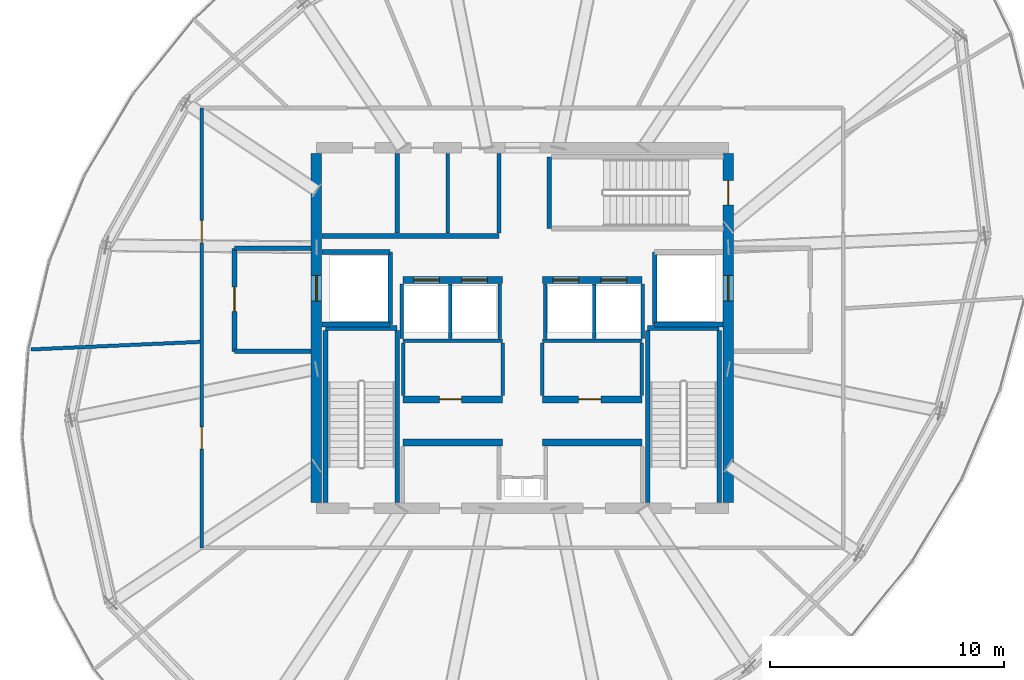
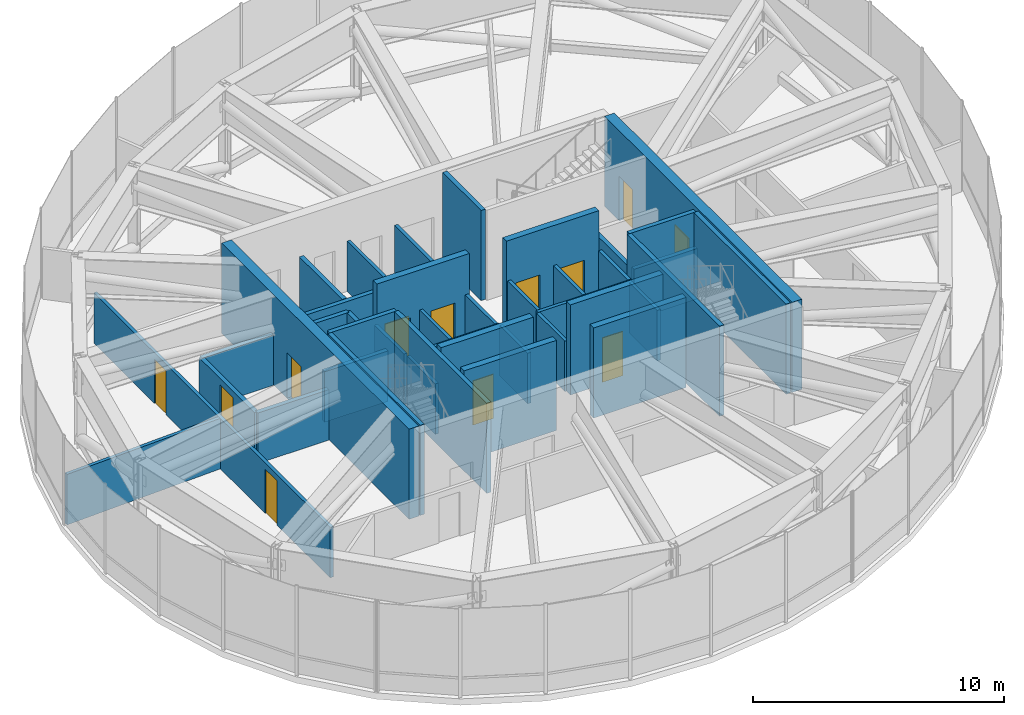
# One storey, part 24 of 26: 41 walls, 12 doors, 12 openings.
"""IFC4 building model written with IfcOpenShell, lengths in metres."""

from ifc_helpers import new_model, si_unit, direction, frame, frame_2d, origin, place, context, subcontext, project, spatial, rectangle, extrude, source, transform, mapped, material, layer, layer_set, type_object, element, fill, save


model = new_model("IFC4")

# Units and contexts
model_context = context("Model", 3, precision=1e-05, world=origin(), true_north=direction((0.0, 1.0)))
body_context = subcontext(model_context, "Body", "Model", "MODEL_VIEW")
ifc_project = project(units=[si_unit("LENGTHUNIT", "METRE"), si_unit("AREAUNIT", "SQUARE_METRE"), si_unit("VOLUMEUNIT", "CUBIC_METRE"), si_unit("PLANEANGLEUNIT", "RADIAN"), si_unit("MASSUNIT", "GRAM", prefix="KILO"), si_unit("THERMODYNAMICTEMPERATUREUNIT", "KELVIN")], contexts=[model_context])

# Site, building, storey
site_placement = place(None, origin())
site = spatial("IfcSite", under=ifc_project, at=site_placement, CompositionType="ELEMENT")
building_placement = place(site_placement, origin())
building = spatial("IfcBuilding", under=site, at=building_placement, Name="Kethvar Cultural Tower", CompositionType="ELEMENT")
storey_placement = place(building_placement, frame((0.0, 0.0, 223.60009765625)))
storey = spatial("IfcBuildingStorey", under=building, at=storey_placement, Name="L58", CompositionType="ELEMENT", Elevation=223.60009765625)

# Wall, opening, door
ifc_material_1 = material(Name="Concrete C50/60", Category="concrete")
ifc_layer_1 = layer(ifc_material_1, 0.449951171875, Name="Concrete C50/60", Category="concrete")
ifc_layer_set_1 = layer_set([ifc_layer_1], Name="Concrete C50/60 (450 mm)")
wall_type_1 = type_object("IfcWallType", Name="WL-CORE-450", PredefinedType="SHEAR", material=ifc_layer_set_1)
wall_1_placement = place(storey_placement, frame((38.0, 35.260009765625, 0.0), z_axis=(0.0, 0.0, 1.0), x_axis=(0.0, -1.0, 0.0)))
wall_1 = element("IfcWall", 1, at=wall_1_placement, inside=storey, type_object=wall_type_1, Name="L58 Core Shear Wall W", PredefinedType="SHEAR", context=body_context, shape_type="SweptSolid", body=[
    extrude(rectangle(XDim=14.919921875, YDim=0.449951171875, at=frame_2d((7.4599609375, 0.0))), origin(), (0.0, 0.0, 1.0), 4.3798828125),
])
opening_1_placement = place(wall_1_placement, frame((5.2099609375, 0.0, 0.0)))
opening_1 = element("IfcOpeningElement", 2, at=opening_1_placement, cuts=wall_1, Name="Opening LD-1", PredefinedType="OPENING", context=body_context, shape_type="SweptSolid", body=[
    extrude(rectangle(XDim=1.10009765625, YDim=2.199951171875, at=frame_2d((0.550048828125, 1.10009765625))), frame((0.0, 0.23486328125, 0.0), z_axis=(0.0, -1.0, 0.0), x_axis=(1.0, 0.0, 0.0)), (0.0, 0.0, 1.0), 0.469970703125),
])
ifc_material_2 = material(Name="Steel S355J2", Category="steel")
door_type_1 = type_object("IfcDoorType", Name="DR-LIFT-SLIDE-1100", OperationType="NOTDEFINED", PredefinedType="DOOR", material=ifc_material_2)
shared_shape_1 = source(origin(), body_context, "Body", "SweptSolid", [
    extrude(rectangle(XDim=1.10009765625, YDim=2.199951171875, at=frame_2d((0.550048828125, 1.10009765625))), frame((0.0, 0.02490234375, 0.0), z_axis=(0.0, -1.0, 0.0), x_axis=(1.0, 0.0, 0.0)), (0.0, 0.0, 1.0), 0.050048828125),
])
door_1_placement = place(opening_1_placement, origin())
door_1 = element("IfcDoor", 3, at=door_1_placement, inside=storey, type_object=door_type_1, Name="L58 Firefighting Lift Landing Door FFL-01", OperationType="SLIDING_TO_LEFT", OverallHeight=2.199951171875, OverallWidth=1.10009765625, PredefinedType="DOOR", context=body_context, shape_type="MappedRepresentation", body=[
    mapped(shared_shape_1, transform((0.0, 0.0, 0.0), scale=1.0)),
])
fill(opening_1, door_1)

# Wall, openings, doors
wall_2_placement = place(storey_placement, frame((55.60009765625, 20.340087890625, 0.0), z_axis=(0.0, 0.0, 1.0), x_axis=(0.0, 1.0, 0.0)))
wall_2 = element("IfcWall", 4, at=wall_2_placement, inside=storey, type_object=wall_type_1, Name="L58 Core Shear Wall E", PredefinedType="SHEAR", context=body_context, shape_type="SweptSolid", body=[
    extrude(rectangle(XDim=14.919921875, YDim=0.449951171875, at=frame_2d((7.4599609375, 0.0))), origin(), (0.0, 0.0, 1.0), 4.3798828125),
])
opening_2_placement = place(wall_2_placement, frame((12.7099609375, 0.0, 0.0)))
opening_2 = element("IfcOpeningElement", 5, at=opening_2_placement, cuts=wall_2, Name="Opening D-L58-S3", PredefinedType="OPENING", context=body_context, shape_type="SweptSolid", body=[
    extrude(rectangle(XDim=1.050048828125, YDim=2.14990234375, at=frame_2d((0.52490234375, 1.074951171875))), frame((0.0, 0.23486328125, 0.0), z_axis=(0.0, -1.0, 0.0), x_axis=(1.0, 0.0, 0.0)), (0.0, 0.0, 1.0), 0.469970703125),
])
opening_3_placement = place(wall_2_placement, frame((8.610107421875, 0.0, 0.0)))
opening_3 = element("IfcOpeningElement", 6, at=opening_3_placement, cuts=wall_2, Name="Opening LD-2", PredefinedType="OPENING", context=body_context, shape_type="SweptSolid", body=[
    extrude(rectangle(XDim=1.10009765625, YDim=2.199951171875, at=frame_2d((0.550048828125, 1.10009765625))), frame((0.0, 0.23486328125, 0.0), z_axis=(0.0, -1.0, 0.0), x_axis=(1.0, 0.0, 0.0)), (0.0, 0.0, 1.0), 0.469970703125),
])
door_type_2 = type_object("IfcDoorType", Name="DR-FD60-1050", OperationType="NOTDEFINED", PredefinedType="DOOR", material=ifc_material_2)
shared_shape_2 = source(origin(), body_context, "Body", "SweptSolid", [
    extrude(rectangle(XDim=1.050048828125, YDim=2.14990234375, at=frame_2d((0.52490234375, 1.074951171875))), frame((0.0, 0.02490234375, 0.0), z_axis=(0.0, -1.0, 0.0), x_axis=(1.0, 0.0, 0.0)), (0.0, 0.0, 1.0), 0.050048828125),
])
door_2_placement = place(opening_2_placement, origin())
door_2 = element("IfcDoor", 7, at=door_2_placement, inside=storey, type_object=door_type_2, Name="L58 Exit Stair 3 Door", OperationType="SINGLE_SWING_LEFT", OverallHeight=2.14990234375, OverallWidth=1.050048828125, PredefinedType="DOOR", context=body_context, shape_type="MappedRepresentation", body=[
    mapped(shared_shape_2, transform((0.0, 0.0, 0.0), scale=1.0)),
])
fill(opening_2, door_2)
door_3_placement = place(opening_3_placement, origin())
door_3 = element("IfcDoor", 8, at=door_3_placement, inside=storey, type_object=door_type_1, Name="L58 Firefighting Lift Landing Door FFL-02", OperationType="SLIDING_TO_RIGHT", OverallHeight=2.199951171875, OverallWidth=1.10009765625, PredefinedType="DOOR", context=body_context, shape_type="MappedRepresentation", body=[
    mapped(shared_shape_1, transform((0.0, 0.0, 0.0), scale=1.0)),
])
fill(opening_3, door_3)

# Walls
ifc_material_3 = material(Name="Gypsum Fireboard Partition")
ifc_layer_2 = layer(ifc_material_3, 0.14990234375, Name="Gypsum Fireboard Partition")
ifc_layer_set_2 = layer_set([ifc_layer_2], Name="Gypsum Fireboard Partition (150 mm)")
wall_type_2 = type_object("IfcWallType", Name="WL-FIRE-150", PredefinedType="PARTITIONING", material=ifc_layer_set_2)
for number, where, z_axis, x_axis, name in (
    (9, (41.699951171875, 27.25, 0.0), (0.0, 0.0, 1.0), (1.0, 0.0, 0.0), "L58 Reclaimed Mid Wall W"),
    (10, (47.64990234375, 27.25, 0.0), (0.0, 0.0, 1.0), (1.0, 0.0, 0.0), "L58 Reclaimed Mid Wall E"),
):
    element("IfcWall", number, at=place(storey_placement, frame(where, z_axis=z_axis, x_axis=x_axis)), inside=storey, type_object=wall_type_2, Name=name, PredefinedType="PARTITIONING", context=body_context, shape_type="SweptSolid", body=[
        extrude(rectangle(XDim=4.25, YDim=0.14990234375, at=frame_2d((2.125, 0.0))), origin(), (0.0, 0.0, 1.0), 2.454833984375),
    ])
for number, where, z_axis, x_axis, name in (
    (11, (41.699951171875, 24.919921875, 0.0), (0.0, 0.0, 1.0), (0.0, 1.0, 0.0), "L58 Reclaimed Mid Outer W"),
    (12, (45.949951171875, 24.919921875, 0.0), (0.0, 0.0, 1.0), (0.0, 1.0, 0.0), "L58 Reclaimed Mid Spine W"),
    (13, (47.64990234375, 24.919921875, 0.0), (0.0, 0.0, 1.0), (0.0, 1.0, 0.0), "L58 Reclaimed Mid Spine E"),
    (14, (51.89990234375, 24.919921875, 0.0), (0.0, 0.0, 1.0), (0.0, 1.0, 0.0), "L58 Reclaimed Mid Outer E"),
):
    element("IfcWall", number, at=place(storey_placement, frame(where, z_axis=z_axis, x_axis=x_axis)), inside=storey, type_object=wall_type_2, Name=name, PredefinedType="PARTITIONING", context=body_context, shape_type="SweptSolid", body=[
        extrude(rectangle(XDim=2.239990234375, YDim=0.14990234375, at=frame_2d((1.1201171875, 0.0))), origin(), (0.0, 0.0, 1.0), 2.454833984375),
    ])
for number, where, z_axis, x_axis, name in (
    (15, (41.64990234375, 27.340087890625, 0.0), (0.0, 0.0, 1.0), (0.0, 1.0, 0.0), "L58 High-Rise Lift Shaft Outer Wall W"),
    (16, (43.72509765625, 27.340087890625, 0.0), (0.0, 0.0, 1.0), (0.0, 1.0, 0.0), "L58 High-Rise Lift Shaft Divider W"),
    (17, (45.824951171875, 27.340087890625, 0.0), (0.0, 0.0, 1.0), (0.0, 1.0, 0.0), "L58 High-Rise Lift Shaft Concourse Wall W"),
    (18, (47.77490234375, 27.340087890625, 0.0), (0.0, 0.0, 1.0), (0.0, 1.0, 0.0), "L58 High-Rise Lift Shaft Concourse Wall E"),
    (19, (49.875, 27.340087890625, 0.0), (0.0, 0.0, 1.0), (0.0, 1.0, 0.0), "L58 High-Rise Lift Shaft Divider E"),
    (20, (51.949951171875, 27.340087890625, 0.0), (0.0, 0.0, 1.0), (0.0, 1.0, 0.0), "L58 High-Rise Lift Shaft Outer Wall E"),
):
    element("IfcWall", number, at=place(storey_placement, frame(where, z_axis=z_axis, x_axis=x_axis)), inside=storey, type_object=wall_type_2, Name=name, PredefinedType="PARTITIONING", context=body_context, shape_type="SweptSolid", body=[
        extrude(rectangle(XDim=2.33984375, YDim=0.14990234375, at=frame_2d((1.169921875, 0.0))), origin(), (0.0, 0.0, 1.0), 2.454833984375),
    ])
wall_3_placement = place(storey_placement, frame((45.800048828125, 31.85009765625, 0.0), z_axis=(0.0, 0.0, 1.0), x_axis=(0.0, 1.0, 0.0)))
element("IfcWall", 21, at=wall_3_placement, inside=storey, type_object=wall_type_2, Name="L58 Sanitary Spine Wall", PredefinedType="PARTITIONING", context=body_context, shape_type="SweptSolid", body=[
    extrude(rectangle(XDim=3.414794921875, YDim=0.14990234375, at=frame_2d((1.70751953125, 0.0))), origin(), (0.0, 0.0, 1.0), 2.454833984375),
])

# Wall, openings, doors
wall_4_placement = place(storey_placement, frame((33.10009765625, 37.199951171875, 0.0), z_axis=(0.0, 0.0, 1.0), x_axis=(0.0, -1.0, 0.0)))
wall_4 = element("IfcWall", 22, at=wall_4_placement, inside=storey, type_object=wall_type_2, Name="L58 Corridor Rated Wall W", PredefinedType="PARTITIONING", context=body_context, shape_type="SweptSolid", body=[
    extrude(rectangle(XDim=18.800048828125, YDim=0.14990234375, at=frame_2d((9.39990234375, 0.0))), origin(), (0.0, 0.0, 1.0), 2.454833984375),
])
opening_4_placement = place(wall_4_placement, frame((13.63037109375, 0.0, 0.0)))
opening_4 = element("IfcOpeningElement", 23, at=opening_4_placement, cuts=wall_4, Name="Opening D-L58-01", PredefinedType="OPENING", context=body_context, shape_type="SweptSolid", body=[
    extrude(rectangle(XDim=0.949951171875, YDim=2.14990234375, at=frame_2d((0.47509765625, 1.074951171875))), frame((0.0, 0.0849609375, 0.0), z_axis=(0.0, -1.0, 0.0), x_axis=(1.0, 0.0, 0.0)), (0.0, 0.0, 1.0), 0.169921875),
])
opening_5_placement = place(wall_4_placement, frame((4.810302734375, 0.0, 0.0)))
opening_5 = element("IfcOpeningElement", 24, at=opening_5_placement, cuts=wall_4, Name="Opening D-L58-10", PredefinedType="OPENING", context=body_context, shape_type="SweptSolid", body=[
    extrude(rectangle(XDim=0.949951171875, YDim=2.14990234375, at=frame_2d((0.47509765625, 1.074951171875))), frame((0.0, 0.0849609375, 0.0), z_axis=(0.0, -1.0, 0.0), x_axis=(1.0, 0.0, 0.0)), (0.0, 0.0, 1.0), 0.169921875),
])
ifc_material_4 = material(Name="Architectural Oak Timber", Category="wood")
door_type_3 = type_object("IfcDoorType", Name="DR-FD30-950", OperationType="NOTDEFINED", PredefinedType="DOOR", material=ifc_material_4)
shared_shape_3 = source(origin(), body_context, "Body", "SweptSolid", [
    extrude(rectangle(XDim=0.949951171875, YDim=2.14990234375, at=frame_2d((0.47509765625, 1.074951171875))), frame((0.0, 0.02490234375, 0.0), z_axis=(0.0, -1.0, 0.0), x_axis=(1.0, 0.0, 0.0)), (0.0, 0.0, 1.0), 0.050048828125),
])
door_4_placement = place(opening_4_placement, origin())
door_4 = element("IfcDoor", 25, at=door_4_placement, inside=storey, type_object=door_type_3, Name="L58 Pressurised Refuge Area West 01 Door", OperationType="SINGLE_SWING_LEFT", OverallHeight=2.14990234375, OverallWidth=0.949951171875, PredefinedType="DOOR", context=body_context, shape_type="MappedRepresentation", body=[
    mapped(shared_shape_3, transform((0.0, 0.0, 0.0), scale=1.0)),
])
fill(opening_4, door_4)
door_5_placement = place(opening_5_placement, origin())
door_5 = element("IfcDoor", 26, at=door_5_placement, inside=storey, type_object=door_type_3, Name="L58 BMS Controls Plant Room 10 Door", OperationType="SINGLE_SWING_RIGHT", OverallHeight=2.14990234375, OverallWidth=0.949951171875, PredefinedType="DOOR", context=body_context, shape_type="MappedRepresentation", body=[
    mapped(shared_shape_3, transform((0.0, 0.0, 0.0), scale=1.0)),
])
fill(opening_5, door_5)

# Walls
wall_5_placement = place(storey_placement, frame((33.02001953125, 27.2060546875, 0.0), z_axis=(0.0, 0.0, 1.0), x_axis=(-0.999000719798, -0.04469409181, 0.0)))
element("IfcWall", 27, at=wall_5_placement, inside=storey, type_object=wall_type_2, Name="L58 Radial Partition Wall 01", PredefinedType="PARTITIONING", context=body_context, shape_type="SweptSolid", body=[
    extrude(rectangle(XDim=7.232421875, YDim=0.14990234375, at=frame_2d((3.6162109375, 0.0))), origin(), (0.0, 0.0, 1.0), 2.454833984375),
])
ifc_material_5 = material(Name="Concrete C40/50", Category="concrete")
ifc_layer_3 = layer(ifc_material_5, 0.199951171875, Name="Concrete C40/50", Category="concrete")
ifc_layer_set_3 = layer_set([ifc_layer_3], Name="Concrete C40/50 (200 mm)")
wall_type_3 = type_object("IfcWallType", Name="WL-FIRE-200", PredefinedType="PARTITIONING", material=ifc_layer_set_3)
wall_6_placement = place(storey_placement, frame((41.14990234375, 27.949951171875, 0.0), z_axis=(0.0, 0.0, 1.0), x_axis=(0.0, 1.0, 0.0)))
element("IfcWall", 28, at=wall_6_placement, inside=storey, type_object=wall_type_3, Name="L58 FFL-01 Shaft Inner Wall", PredefinedType="PARTITIONING", context=body_context, shape_type="SweptSolid", body=[
    extrude(rectangle(XDim=3.10009765625, YDim=0.199951171875, at=frame_2d((1.550048828125, 0.0))), origin(), (0.0, 0.0, 1.0), 2.454833984375),
])
for number, where, z_axis, x_axis, name in (
    (29, (38.235107421875, 27.949951171875, 0.0), (0.0, 0.0, 1.0), (1.0, 0.0, 0.0), "L58 FFL-01 Shaft South Wall"),
    (30, (38.235107421875, 31.050048828125, 0.0), (0.0, 0.0, 1.0), (1.0, 0.0, 0.0), "L58 FFL-01 Shaft North Wall"),
):
    element("IfcWall", number, at=place(storey_placement, frame(where, z_axis=z_axis, x_axis=x_axis)), inside=storey, type_object=wall_type_3, Name=name, PredefinedType="PARTITIONING", context=body_context, shape_type="SweptSolid", body=[
        extrude(rectangle(XDim=2.914794921875, YDim=0.199951171875, at=frame_2d((1.45751953125, 0.0))), origin(), (0.0, 0.0, 1.0), 2.454833984375),
    ])

# Wall, opening, door
wall_7_placement = place(storey_placement, frame((34.5, 31.199951171875, 0.0), z_axis=(0.0, 0.0, 1.0), x_axis=(0.0, -1.0, 0.0)))
wall_7 = element("IfcWall", 31, at=wall_7_placement, inside=storey, type_object=wall_type_3, Name="L58 Firefighting Lobby 1 Wall", PredefinedType="PARTITIONING", context=body_context, shape_type="SweptSolid", body=[
    extrude(rectangle(XDim=4.39990234375, YDim=0.199951171875, at=frame_2d((2.199951171875, 0.0))), origin(), (0.0, 0.0, 1.0), 2.454833984375),
])
opening_6_placement = place(wall_7_placement, frame((1.64990234375, 0.0, 0.0)))
opening_6 = element("IfcOpeningElement", 32, at=opening_6_placement, cuts=wall_7, Name="Opening D-L58-F1", PredefinedType="OPENING", context=body_context, shape_type="SweptSolid", body=[
    extrude(rectangle(XDim=1.050048828125, YDim=2.14990234375, at=frame_2d((0.52490234375, 1.074951171875))), frame((0.0, 0.10986328125, 0.0), z_axis=(0.0, -1.0, 0.0), x_axis=(1.0, 0.0, 0.0)), (0.0, 0.0, 1.0), 0.219970703125),
])
door_6_placement = place(opening_6_placement, origin())
door_6 = element("IfcDoor", 33, at=door_6_placement, inside=storey, type_object=door_type_2, Name="L58 Firefighting Lobby 1 Fire Door", OperationType="SINGLE_SWING_LEFT", OverallHeight=2.14990234375, OverallWidth=1.050048828125, PredefinedType="DOOR", context=body_context, shape_type="MappedRepresentation", body=[
    mapped(shared_shape_2, transform((0.0, 0.0, 0.0), scale=1.0)),
])
fill(opening_6, door_6)

# Walls
for number, where, z_axis, x_axis, name in (
    (34, (34.5, 26.800048828125, 0.0), (0.0, 0.0, 1.0), (1.0, 0.0, 0.0), "L58 FF Lobby 1 South Wall"),
    (35, (34.5, 31.199951171875, 0.0), (0.0, 0.0, 1.0), (1.0, 0.0, 0.0), "L58 FF Lobby 1 North Wall"),
):
    element("IfcWall", number, at=place(storey_placement, frame(where, z_axis=z_axis, x_axis=x_axis)), inside=storey, type_object=wall_type_3, Name=name, PredefinedType="PARTITIONING", context=body_context, shape_type="SweptSolid", body=[
        extrude(rectangle(XDim=3.264892578125, YDim=0.199951171875, at=frame_2d((1.63232421875, 0.0))), origin(), (0.0, 0.0, 1.0), 2.454833984375),
    ])
wall_8_placement = place(storey_placement, frame((52.449951171875, 27.949951171875, 0.0), z_axis=(0.0, 0.0, 1.0), x_axis=(0.0, 1.0, 0.0)))
element("IfcWall", 36, at=wall_8_placement, inside=storey, type_object=wall_type_3, Name="L58 FFL-02 Shaft Inner Wall", PredefinedType="PARTITIONING", context=body_context, shape_type="SweptSolid", body=[
    extrude(rectangle(XDim=3.10009765625, YDim=0.199951171875, at=frame_2d((1.550048828125, 0.0))), origin(), (0.0, 0.0, 1.0), 2.454833984375),
])
wall_9_placement = place(storey_placement, frame((52.449951171875, 27.949951171875, 0.0), z_axis=(0.0, 0.0, 1.0), x_axis=(1.0, 0.0, 0.0)))
element("IfcWall", 37, at=wall_9_placement, inside=storey, type_object=wall_type_3, Name="L58 FFL-02 Shaft South Wall", PredefinedType="PARTITIONING", context=body_context, shape_type="SweptSolid", body=[
    extrude(rectangle(XDim=2.9150390625, YDim=0.199951171875, at=frame_2d((1.45751953125, 0.0))), origin(), (0.0, 0.0, 1.0), 2.454833984375),
])
wall_10_placement = place(storey_placement, frame((41.449951171875, 31.85009765625, 0.0), z_axis=(0.0, 0.0, 1.0), x_axis=(0.0, 1.0, 0.0)))
element("IfcWall", 38, at=wall_10_placement, inside=storey, type_object=wall_type_3, Name="L58 NW Core Pocket Wall", PredefinedType="PARTITIONING", context=body_context, shape_type="SweptSolid", body=[
    extrude(rectangle(XDim=3.414794921875, YDim=0.199951171875, at=frame_2d((1.70751953125, 0.0))), origin(), (0.0, 0.0, 1.0), 2.454833984375),
])
wall_11_placement = place(storey_placement, frame((38.235107421875, 31.72998046875, 0.0), z_axis=(0.0, 0.0, 1.0), x_axis=(1.0, 0.0, 0.0)))
element("IfcWall", 39, at=wall_11_placement, inside=storey, type_object=wall_type_3, Name="L58 North Core Sanitary South Wall", PredefinedType="PARTITIONING", context=body_context, shape_type="SweptSolid", body=[
    extrude(rectangle(XDim=7.56494140625, YDim=0.199951171875, at=frame_2d((3.782470703125, 0.0))), origin(), (0.0, 0.0, 1.0), 2.454833984375),
])
ifc_material_6 = material(Name="Moisture-Resistant Sanitary Chase Wall")
ifc_layer_4 = layer(ifc_material_6, 0.14990234375, Name="Moisture-Resistant Sanitary Chase Wall")
ifc_layer_set_4 = layer_set([ifc_layer_4], Name="Moisture-Resistant Sanitary Chase Wall (150 mm)")
wall_type_4 = type_object("IfcWallType", Name="WL-PLUMB-150", PredefinedType="PLUMBINGWALL", material=ifc_layer_set_4)
wall_12_placement = place(storey_placement, frame((43.6201171875, 31.85009765625, 0.0), z_axis=(0.0, 0.0, 1.0), x_axis=(0.0, 1.0, 0.0)))
element("IfcWall", 40, at=wall_12_placement, inside=storey, type_object=wall_type_4, Name="L58 Sanitary Plumbing Wall", PredefinedType="PLUMBINGWALL", context=body_context, shape_type="SweptSolid", body=[
    extrude(rectangle(XDim=3.414794921875, YDim=0.14990234375, at=frame_2d((1.70751953125, 0.0))), origin(), (0.0, 0.0, 1.0), 2.454833984375),
])
ifc_layer_5 = layer(ifc_material_1, 0.300048828125, Name="Concrete C50/60", Category="concrete")
ifc_layer_set_5 = layer_set([ifc_layer_5], Name="Concrete C50/60 (300 mm)")
wall_type_5 = type_object("IfcWallType", Name="WL-SHAFT-300", PredefinedType="SHEAR", material=ifc_layer_set_5)
for number, where, z_axis, x_axis, name in (
    (41, (41.699951171875, 22.89990234375, 0.0), (0.0, 0.0, 1.0), (1.0, 0.0, 0.0), "L58 Core Lift Spine Wall MID1W"),
    (42, (47.64990234375, 22.89990234375, 0.0), (0.0, 0.0, 1.0), (1.0, 0.0, 0.0), "L58 Core Lift Spine Wall MID1E"),
):
    element("IfcWall", number, at=place(storey_placement, frame(where, z_axis=z_axis, x_axis=x_axis)), inside=storey, type_object=wall_type_5, Name=name, PredefinedType="SHEAR", context=body_context, shape_type="SweptSolid", body=[
        extrude(rectangle(XDim=4.25, YDim=0.300048828125, at=frame_2d((2.125, 0.0))), origin(), (0.0, 0.0, 1.0), 4.3798828125),
    ])

# Wall, opening, door
wall_13_placement = place(storey_placement, frame((41.699951171875, 24.75, 0.0), z_axis=(0.0, 0.0, 1.0), x_axis=(1.0, 0.0, 0.0)))
wall_13 = element("IfcWall", 43, at=wall_13_placement, inside=storey, type_object=wall_type_5, Name="L58 Core Lift Spine Wall MID2W", PredefinedType="SHEAR", context=body_context, shape_type="SweptSolid", body=[
    extrude(rectangle(XDim=4.25, YDim=0.300048828125, at=frame_2d((2.125, 0.0))), origin(), (0.0, 0.0, 1.0), 4.3798828125),
])
opening_7_placement = place(wall_13_placement, frame((1.550048828125, 0.0, 0.0)))
opening_7 = element("IfcOpeningElement", 44, at=opening_7_placement, cuts=wall_13, Name="Opening D-L58-M1", PredefinedType="OPENING", context=body_context, shape_type="SweptSolid", body=[
    extrude(rectangle(XDim=0.949951171875, YDim=2.14990234375, at=frame_2d((0.47509765625, 1.074951171875))), frame((0.0, 0.159912109375, 0.0), z_axis=(0.0, -1.0, 0.0), x_axis=(1.0, 0.0, 0.0)), (0.0, 0.0, 1.0), 0.320068359375),
])
door_7_placement = place(opening_7_placement, origin())
door_7 = element("IfcDoor", 45, at=door_7_placement, inside=storey, type_object=door_type_3, Name="L58 Mid West Room Door", OperationType="SINGLE_SWING_LEFT", OverallHeight=2.14990234375, OverallWidth=0.949951171875, PredefinedType="DOOR", context=body_context, shape_type="MappedRepresentation", body=[
    mapped(shared_shape_3, transform((0.0, 0.0, 0.0), scale=1.0)),
])
fill(opening_7, door_7)

wall_14_placement = place(storey_placement, frame((47.64990234375, 24.75, 0.0), z_axis=(0.0, 0.0, 1.0), x_axis=(1.0, 0.0, 0.0)))
wall_14 = element("IfcWall", 46, at=wall_14_placement, inside=storey, type_object=wall_type_5, Name="L58 Core Lift Spine Wall MID2E", PredefinedType="SHEAR", context=body_context, shape_type="SweptSolid", body=[
    extrude(rectangle(XDim=4.25, YDim=0.300048828125, at=frame_2d((2.125, 0.0))), origin(), (0.0, 0.0, 1.0), 4.3798828125),
])
opening_8_placement = place(wall_14_placement, frame((1.550048828125, 0.0, 0.0)))
opening_8 = element("IfcOpeningElement", 47, at=opening_8_placement, cuts=wall_14, Name="Opening D-L58-M2", PredefinedType="OPENING", context=body_context, shape_type="SweptSolid", body=[
    extrude(rectangle(XDim=0.949951171875, YDim=2.14990234375, at=frame_2d((0.47509765625, 1.074951171875))), frame((0.0, 0.159912109375, 0.0), z_axis=(0.0, -1.0, 0.0), x_axis=(1.0, 0.0, 0.0)), (0.0, 0.0, 1.0), 0.320068359375),
])
door_8_placement = place(opening_8_placement, origin())
door_8 = element("IfcDoor", 48, at=door_8_placement, inside=storey, type_object=door_type_3, Name="L58 Mid East Room Door", OperationType="SINGLE_SWING_RIGHT", OverallHeight=2.14990234375, OverallWidth=0.949951171875, PredefinedType="DOOR", context=body_context, shape_type="MappedRepresentation", body=[
    mapped(shared_shape_3, transform((0.0, 0.0, 0.0), scale=1.0)),
])
fill(opening_8, door_8)

# Wall, openings, doors
wall_15_placement = place(storey_placement, frame((41.699951171875, 29.85009765625, 0.0), z_axis=(0.0, 0.0, 1.0), x_axis=(1.0, 0.0, 0.0)))
wall_15 = element("IfcWall", 49, at=wall_15_placement, inside=storey, type_object=wall_type_5, Name="L58 Core Lift Spine Wall MID3W", PredefinedType="SHEAR", context=body_context, shape_type="SweptSolid", body=[
    extrude(rectangle(XDim=4.25, YDim=0.300048828125, at=frame_2d((2.125, 0.0))), origin(), (0.0, 0.0, 1.0), 4.3798828125),
])
opening_9_placement = place(wall_15_placement, frame((0.449951171875, 0.0, 0.0)))
opening_9 = element("IfcOpeningElement", 50, at=opening_9_placement, cuts=wall_15, Name="Opening LD-H1", PredefinedType="OPENING", context=body_context, shape_type="SweptSolid", body=[
    extrude(rectangle(XDim=1.10009765625, YDim=2.199951171875, at=frame_2d((0.550048828125, 1.10009765625))), frame((0.0, 0.159912109375, 0.0), z_axis=(0.0, -1.0, 0.0), x_axis=(1.0, 0.0, 0.0)), (0.0, 0.0, 1.0), 0.320068359375),
])
opening_10_placement = place(wall_15_placement, frame((2.5, 0.0, 0.0)))
opening_10 = element("IfcOpeningElement", 51, at=opening_10_placement, cuts=wall_15, Name="Opening LD-H2", PredefinedType="OPENING", context=body_context, shape_type="SweptSolid", body=[
    extrude(rectangle(XDim=1.10009765625, YDim=2.199951171875, at=frame_2d((0.550048828125, 1.10009765625))), frame((0.0, 0.159912109375, 0.0), z_axis=(0.0, -1.0, 0.0), x_axis=(1.0, 0.0, 0.0)), (0.0, 0.0, 1.0), 0.320068359375),
])
door_9_placement = place(opening_9_placement, origin())
door_9 = element("IfcDoor", 52, at=door_9_placement, inside=storey, type_object=door_type_1, Name="L58 High-Rise Lift Landing Door H1", OperationType="SLIDING_TO_LEFT", OverallHeight=2.199951171875, OverallWidth=1.10009765625, PredefinedType="DOOR", context=body_context, shape_type="MappedRepresentation", body=[
    mapped(shared_shape_1, transform((0.0, 0.0, 0.0), scale=1.0)),
])
fill(opening_9, door_9)
door_10_placement = place(opening_10_placement, origin())
door_10 = element("IfcDoor", 53, at=door_10_placement, inside=storey, type_object=door_type_1, Name="L58 High-Rise Lift Landing Door H2", OperationType="SLIDING_TO_LEFT", OverallHeight=2.199951171875, OverallWidth=1.10009765625, PredefinedType="DOOR", context=body_context, shape_type="MappedRepresentation", body=[
    mapped(shared_shape_1, transform((0.0, 0.0, 0.0), scale=1.0)),
])
fill(opening_10, door_10)

wall_16_placement = place(storey_placement, frame((47.64990234375, 29.85009765625, 0.0), z_axis=(0.0, 0.0, 1.0), x_axis=(1.0, 0.0, 0.0)))
wall_16 = element("IfcWall", 54, at=wall_16_placement, inside=storey, type_object=wall_type_5, Name="L58 Core Lift Spine Wall MID3E", PredefinedType="SHEAR", context=body_context, shape_type="SweptSolid", body=[
    extrude(rectangle(XDim=4.25, YDim=0.300048828125, at=frame_2d((2.125, 0.0))), origin(), (0.0, 0.0, 1.0), 4.3798828125),
])
opening_11_placement = place(wall_16_placement, frame((0.449951171875, 0.0, 0.0)))
opening_11 = element("IfcOpeningElement", 55, at=opening_11_placement, cuts=wall_16, Name="Opening LD-H3", PredefinedType="OPENING", context=body_context, shape_type="SweptSolid", body=[
    extrude(rectangle(XDim=1.10009765625, YDim=2.199951171875, at=frame_2d((0.550048828125, 1.10009765625))), frame((0.0, 0.159912109375, 0.0), z_axis=(0.0, -1.0, 0.0), x_axis=(1.0, 0.0, 0.0)), (0.0, 0.0, 1.0), 0.320068359375),
])
opening_12_placement = place(wall_16_placement, frame((2.5, 0.0, 0.0)))
opening_12 = element("IfcOpeningElement", 56, at=opening_12_placement, cuts=wall_16, Name="Opening LD-H4", PredefinedType="OPENING", context=body_context, shape_type="SweptSolid", body=[
    extrude(rectangle(XDim=1.10009765625, YDim=2.199951171875, at=frame_2d((0.550048828125, 1.10009765625))), frame((0.0, 0.159912109375, 0.0), z_axis=(0.0, -1.0, 0.0), x_axis=(1.0, 0.0, 0.0)), (0.0, 0.0, 1.0), 0.320068359375),
])
door_11_placement = place(opening_11_placement, origin())
door_11 = element("IfcDoor", 57, at=door_11_placement, inside=storey, type_object=door_type_1, Name="L58 High-Rise Lift Landing Door H3", OperationType="SLIDING_TO_LEFT", OverallHeight=2.199951171875, OverallWidth=1.10009765625, PredefinedType="DOOR", context=body_context, shape_type="MappedRepresentation", body=[
    mapped(shared_shape_1, transform((0.0, 0.0, 0.0), scale=1.0)),
])
fill(opening_11, door_11)
door_12_placement = place(opening_12_placement, origin())
door_12 = element("IfcDoor", 58, at=door_12_placement, inside=storey, type_object=door_type_1, Name="L58 High-Rise Lift Landing Door H4", OperationType="SLIDING_TO_LEFT", OverallHeight=2.199951171875, OverallWidth=1.10009765625, PredefinedType="DOOR", context=body_context, shape_type="MappedRepresentation", body=[
    mapped(shared_shape_1, transform((0.0, 0.0, 0.0), scale=1.0)),
])
fill(opening_12, door_12)

# Walls
ifc_layer_6 = layer(ifc_material_1, 0.199951171875, Name="Concrete C50/60", Category="concrete")
ifc_layer_set_6 = layer_set([ifc_layer_6], Name="Concrete C50/60 (200 mm)")
wall_type_6 = type_object("IfcWallType", Name="WL-STSHAFT-200", PredefinedType="SHEAR", material=ifc_layer_set_6)
wall_17_placement = place(storey_placement, frame((38.389892578125, 27.800048828125, 0.0), z_axis=(0.0, 0.0, 1.0), x_axis=(1.0, 0.0, 0.0)))
element("IfcWall", 59, at=wall_17_placement, inside=storey, type_object=wall_type_6, Name="L58 ST-01 Stair Shaft Wall FAR", PredefinedType="SHEAR", context=body_context, shape_type="SweptSolid", body=[
    extrude(rectangle(XDim=3.06005859375, YDim=0.199951171875, at=frame_2d((1.530029296875, 0.0))), origin(), (0.0, 0.0, 1.0), 4.3798828125),
])
for number, where, z_axis, x_axis, name in (
    (60, (41.449951171875, 27.699951171875, 0.0), (0.0, 0.0, 1.0), (0.0, -1.0, 0.0), "L58 ST-01 Stair Shaft Wall LEFT"),
    (61, (38.389892578125, 20.35009765625, 0.0), (0.0, 0.0, 1.0), (0.0, 1.0, 0.0), "L58 ST-01 Stair Shaft Wall RIGHT"),
):
    element("IfcWall", number, at=place(storey_placement, frame(where, z_axis=z_axis, x_axis=x_axis)), inside=storey, type_object=wall_type_6, Name=name, PredefinedType="SHEAR", context=body_context, shape_type="SweptSolid", body=[
        extrude(rectangle(XDim=7.349853515625, YDim=0.199951171875, at=frame_2d((3.6748046875, 0.0))), origin(), (0.0, 0.0, 1.0), 4.3798828125),
    ])
wall_18_placement = place(storey_placement, frame((52.14990234375, 27.800048828125, 0.0), z_axis=(0.0, 0.0, 1.0), x_axis=(1.0, 0.0, 0.0)))
element("IfcWall", 62, at=wall_18_placement, inside=storey, type_object=wall_type_6, Name="L58 ST-02 Stair Shaft Wall FAR", PredefinedType="SHEAR", context=body_context, shape_type="SweptSolid", body=[
    extrude(rectangle(XDim=3.06005859375, YDim=0.199951171875, at=frame_2d((1.530029296875, 0.0))), origin(), (0.0, 0.0, 1.0), 4.3798828125),
])
for number, where, z_axis, x_axis, name in (
    (63, (55.2099609375, 27.699951171875, 0.0), (0.0, 0.0, 1.0), (0.0, -1.0, 0.0), "L58 ST-02 Stair Shaft Wall LEFT"),
    (64, (52.14990234375, 20.35009765625, 0.0), (0.0, 0.0, 1.0), (0.0, 1.0, 0.0), "L58 ST-02 Stair Shaft Wall RIGHT"),
):
    element("IfcWall", number, at=place(storey_placement, frame(where, z_axis=z_axis, x_axis=x_axis)), inside=storey, type_object=wall_type_6, Name=name, PredefinedType="SHEAR", context=body_context, shape_type="SweptSolid", body=[
        extrude(rectangle(XDim=7.349853515625, YDim=0.199951171875, at=frame_2d((3.6748046875, 0.0))), origin(), (0.0, 0.0, 1.0), 4.3798828125),
    ])
wall_19_placement = place(storey_placement, frame((47.949951171875, 32.050048828125, 0.0), z_axis=(0.0, 0.0, 1.0), x_axis=(0.0, 1.0, 0.0)))
element("IfcWall", 65, at=wall_19_placement, inside=storey, type_object=wall_type_6, Name="L58 ST-03 Stair Shaft Wall FAR", PredefinedType="SHEAR", context=body_context, shape_type="SweptSolid", body=[
    extrude(rectangle(XDim=3.06005859375, YDim=0.199951171875, at=frame_2d((1.530029296875, 0.0))), origin(), (0.0, 0.0, 1.0), 4.3798828125),
])

save(model, "model.ifc")
